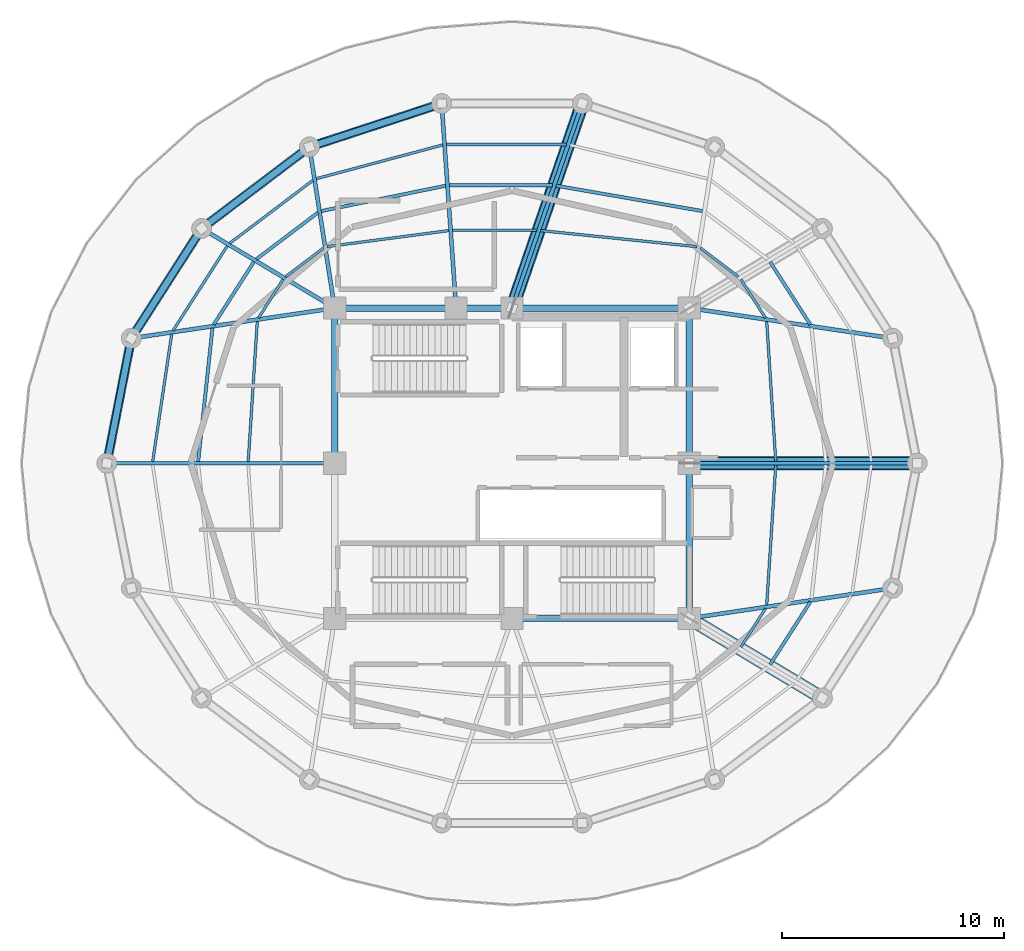
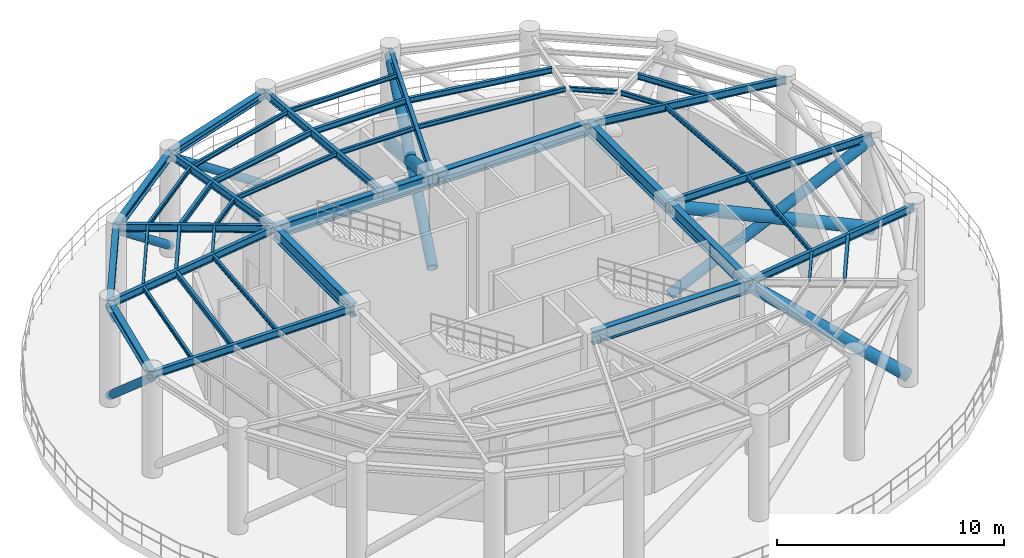
# One storey, part 2 of 8: 44 beams, 9 members.
"""IFC4 building model written with IfcOpenShell, lengths in metres."""

from ifc_helpers import new_model, si_unit, direction, frame, origin, origin_2d, place, context, subcontext, project, spatial, hollow_circle, i_section, extrude, material, material_profile, profile_set, type_object, element, save


model = new_model("IFC4")

# Units and contexts
model_context = context("Model", 3, precision=1e-05, world=origin(), true_north=direction((0.0, 1.0)))
body_context = subcontext(model_context, "Body", "Model", "MODEL_VIEW")
ifc_project = project(units=[si_unit("LENGTHUNIT", "METRE"), si_unit("AREAUNIT", "SQUARE_METRE"), si_unit("VOLUMEUNIT", "CUBIC_METRE"), si_unit("PLANEANGLEUNIT", "RADIAN"), si_unit("MASSUNIT", "GRAM", prefix="KILO")], contexts=[model_context])

# Site, building, storey
site_placement = place(None, origin())
site = spatial("IfcSite", under=ifc_project, at=site_placement, CompositionType="ELEMENT")
building_placement = place(site_placement, origin())
building = spatial("IfcBuilding", under=site, at=building_placement, Name="Kelanora Arch Commons", CompositionType="ELEMENT")
storey_placement = place(building_placement, frame((0.0, 0.0, 242.9599609375)))
storey = spatial("IfcBuildingStorey", under=building, at=storey_placement, Name="L62", CompositionType="ELEMENT", Elevation=242.9599609375)

# Beams
ifc_material = material(Name="Steel S355", Category="steel")
ifc_material_profile_1 = material_profile(ifc_material, i_section(OverallWidth=0.300048828125, OverallDepth=0.699951171875, WebThickness=0.01708984375, FlangeThickness=0.031982421875, FilletRadius=0.027099609375, at=origin_2d()), Name="HEB700")
ifc_profile_set_1 = profile_set([ifc_material_profile_1], Name="Steel S355")
beam_type_1 = type_object("IfcBeamType", Name="BM-CORE-HDR", PredefinedType="BEAM", material=ifc_profile_set_1)
beam_1_placement = place(storey_placement, frame((74.0, 51.0, 5.130126953125), z_axis=(1.0, 0.0, 0.0), x_axis=(0.0, 1.0, 0.0)))
element("IfcBeam", 1, at=beam_1_placement, inside=storey, type_object=beam_type_1, Name="Core Header Beam 02 L62", PredefinedType="BEAM", context=body_context, shape_type="SweptSolid", body=[
    extrude(i_section(OverallWidth=0.300048828125, OverallDepth=0.699951171875, WebThickness=0.01708984375, FlangeThickness=0.031982421875, FilletRadius=0.027099609375, at=origin_2d()), origin(), (0.0, 0.0, 1.0), 8.0),
])
for number, where, z_axis, x_axis, name in (
    (2, (82.0, 51.0, 5.130126953125), (0.0, 1.0, 0.0), (-1.0, 0.0, 0.0), "Core Header Beam 03 L62"),
    (3, (82.0, 58.0, 5.130126953125), (0.0, 1.0, 0.0), (-1.0, 0.0, 0.0), "Core Header Beam 04 L62"),
):
    element("IfcBeam", number, at=place(storey_placement, frame(where, z_axis=z_axis, x_axis=x_axis)), inside=storey, type_object=beam_type_1, Name=name, PredefinedType="BEAM", context=body_context, shape_type="SweptSolid", body=[
        extrude(i_section(OverallWidth=0.300048828125, OverallDepth=0.699951171875, WebThickness=0.01708984375, FlangeThickness=0.031982421875, FilletRadius=0.027099609375, at=origin_2d()), origin(), (0.0, 0.0, 1.0), 7.0),
    ])
beam_2_placement = place(storey_placement, frame((82.0, 65.0, 5.130126953125), z_axis=(-1.0, 0.0, 0.0), x_axis=(0.0, -1.0, 0.0)))
element("IfcBeam", 4, at=beam_2_placement, inside=storey, type_object=beam_type_1, Name="Core Header Beam 05 L62", PredefinedType="BEAM", context=body_context, shape_type="SweptSolid", body=[
    extrude(i_section(OverallWidth=0.300048828125, OverallDepth=0.699951171875, WebThickness=0.01708984375, FlangeThickness=0.031982421875, FilletRadius=0.027099609375, at=origin_2d()), origin(), (0.0, 0.0, 1.0), 8.0),
])
beam_3_placement = place(storey_placement, frame((74.0, 65.0, 5.130126953125), z_axis=(-1.0, 0.0, 0.0), x_axis=(0.0, -1.0, 0.0)))
element("IfcBeam", 5, at=beam_3_placement, inside=storey, type_object=beam_type_1, Name="Core Header Beam 06 L62", PredefinedType="BEAM", context=body_context, shape_type="SweptSolid", body=[
    extrude(i_section(OverallWidth=0.300048828125, OverallDepth=0.699951171875, WebThickness=0.01708984375, FlangeThickness=0.031982421875, FilletRadius=0.027099609375, at=origin_2d()), origin(), (0.0, 0.0, 1.0), 2.52001953125),
])
beam_4_placement = place(storey_placement, frame((71.47998046875, 65.0, 5.130126953125), z_axis=(-1.0, 0.0, 0.0), x_axis=(0.0, -1.0, 0.0)))
element("IfcBeam", 6, at=beam_4_placement, inside=storey, type_object=beam_type_1, Name="Core Header Beam 07 L62", PredefinedType="BEAM", context=body_context, shape_type="SweptSolid", body=[
    extrude(i_section(OverallWidth=0.300048828125, OverallDepth=0.699951171875, WebThickness=0.01708984375, FlangeThickness=0.031982421875, FilletRadius=0.027099609375, at=origin_2d()), origin(), (0.0, 0.0, 1.0), 5.47998046875),
])
beam_5_placement = place(storey_placement, frame((66.0, 65.0, 5.130126953125), z_axis=(0.0, -1.0, 0.0), x_axis=(1.0, 0.0, 0.0)))
element("IfcBeam", 7, at=beam_5_placement, inside=storey, type_object=beam_type_1, Name="Core Header Beam 08 L62", PredefinedType="BEAM", context=body_context, shape_type="SweptSolid", body=[
    extrude(i_section(OverallWidth=0.300048828125, OverallDepth=0.699951171875, WebThickness=0.01708984375, FlangeThickness=0.031982421875, FilletRadius=0.027099609375, at=origin_2d()), origin(), (0.0, 0.0, 1.0), 7.0),
])
ifc_material_profile_2 = material_profile(ifc_material, i_section(OverallWidth=0.14990234375, OverallDepth=0.300048828125, WebThickness=0.007080078125, FlangeThickness=0.0107421875, FilletRadius=0.014892578125, at=origin_2d()), Name="IPE300")
ifc_profile_set_2 = profile_set([ifc_material_profile_2], Name="Steel S355")
beam_type_2 = type_object("IfcBeamType", Name="BM-JST-01", PredefinedType="JOIST", material=ifc_profile_set_2)
beam_6_placement = place(storey_placement, frame((87.460693359375, 64.25341796875, 5.330078125), z_axis=(-0.539321586177, 0.842099891155, 0.0), x_axis=(-0.842099891155, -0.539321586177, 0.0)))
element("IfcBeam", 8, at=beam_6_placement, inside=storey, type_object=beam_type_2, Name="Secondary Chord Joist BJB-02 L62", PredefinedType="JOIST", context=body_context, shape_type="SweptSolid", body=[
    extrude(i_section(OverallWidth=0.14990234375, OverallDepth=0.300048828125, WebThickness=0.007080078125, FlangeThickness=0.0107421875, FilletRadius=0.014892578125, at=origin_2d()), origin(), (0.0, 0.0, 1.0), 3.361572265625),
])
beam_7_placement = place(storey_placement, frame((82.60009765625, 69.377685546875, 5.330078125), z_axis=(-0.985321568263, 0.170708544357, 0.0), x_axis=(-0.170708544357, -0.985321568263, 0.0)))
element("IfcBeam", 9, at=beam_7_placement, inside=storey, type_object=beam_type_2, Name="Secondary Chord Joist BJB-06 L62", PredefinedType="JOIST", context=body_context, shape_type="SweptSolid", body=[
    extrude(i_section(OverallWidth=0.14990234375, OverallDepth=0.300048828125, WebThickness=0.007080078125, FlangeThickness=0.0107421875, FilletRadius=0.014892578125, at=origin_2d()), origin(), (0.0, 0.0, 1.0), 6.710205078125),
])
beam_8_placement = place(storey_placement, frame((75.819580078125, 70.537841796875, 5.330078125), z_axis=(-1.0, 0.0, 0.0), x_axis=(0.0, -1.0, 0.0)))
element("IfcBeam", 10, at=beam_8_placement, inside=storey, type_object=beam_type_2, Name="Secondary Chord Joist BJB-08 L62", PredefinedType="JOIST", context=body_context, shape_type="SweptSolid", body=[
    extrude(i_section(OverallWidth=0.14990234375, OverallDepth=0.300048828125, WebThickness=0.007080078125, FlangeThickness=0.0107421875, FilletRadius=0.014892578125, at=origin_2d()), origin(), (0.0, 0.0, 1.0), 4.647216796875),
])
beam_9_placement = place(storey_placement, frame((71.004150390625, 70.520751953125, 5.330078125), z_axis=(-0.979913482255, -0.199423086165, 0.0), x_axis=(0.199423086165, -0.979913482255, 0.0)))
element("IfcBeam", 11, at=beam_9_placement, inside=storey, type_object=beam_type_2, Name="Secondary Chord Joist BJB-10 L62", PredefinedType="JOIST", context=body_context, shape_type="SweptSolid", body=[
    extrude(i_section(OverallWidth=0.14990234375, OverallDepth=0.300048828125, WebThickness=0.007080078125, FlangeThickness=0.0107421875, FilletRadius=0.014892578125, at=origin_2d()), origin(), (0.0, 0.0, 1.0), 5.7197265625),
])
beam_10_placement = place(storey_placement, frame((65.248291015625, 69.31201171875, 5.330078125), z_axis=(-0.797499198801, -0.603320004568, 0.0), x_axis=(0.603320004568, -0.797499198801, 0.0)))
element("IfcBeam", 12, at=beam_10_placement, inside=storey, type_object=beam_type_2, Name="Secondary Chord Joist BJB-12 L62", PredefinedType="JOIST", context=body_context, shape_type="SweptSolid", body=[
    extrude(i_section(OverallWidth=0.14990234375, OverallDepth=0.300048828125, WebThickness=0.007080078125, FlangeThickness=0.0107421875, FilletRadius=0.014892578125, at=origin_2d()), origin(), (0.0, 0.0, 1.0), 3.489013671875),
])
beam_11_placement = place(storey_placement, frame((62.352294921875, 67.084228515625, 5.330078125), z_axis=(-0.539321586177, -0.842099891155, 0.0), x_axis=(0.842099891155, -0.539321586177, 0.0)))
element("IfcBeam", 13, at=beam_11_placement, inside=storey, type_object=beam_type_2, Name="Secondary Chord Joist BJB-14 L62", PredefinedType="JOIST", context=body_context, shape_type="SweptSolid", body=[
    extrude(i_section(OverallWidth=0.14990234375, OverallDepth=0.300048828125, WebThickness=0.007080078125, FlangeThickness=0.0107421875, FilletRadius=0.014892578125, at=origin_2d()), origin(), (0.0, 0.0, 1.0), 3.361572265625),
])
beam_12_placement = place(storey_placement, frame((60.484375, 64.097412109375, 5.330078125), z_axis=(-0.106380594087, -0.994325484538, 0.0), x_axis=(0.994325484538, -0.106380594087, 0.0)))
element("IfcBeam", 14, at=beam_12_placement, inside=storey, type_object=beam_type_2, Name="Secondary Chord Joist BJB-16 L62", PredefinedType="JOIST", context=body_context, shape_type="SweptSolid", body=[
    extrude(i_section(OverallWidth=0.14990234375, OverallDepth=0.300048828125, WebThickness=0.007080078125, FlangeThickness=0.0107421875, FilletRadius=0.014892578125, at=origin_2d()), origin(), (0.0, 0.0, 1.0), 6.04736328125),
])
beam_13_placement = place(storey_placement, frame((85.647705078125, 48.915771484375, 5.330078125), z_axis=(0.539321586177, 0.842099891155, 0.0), x_axis=(-0.842099891155, 0.539321586177, 0.0)))
element("IfcBeam", 15, at=beam_13_placement, inside=storey, type_object=beam_type_2, Name="Secondary Chord Joist BJB-32 L62", PredefinedType="JOIST", context=body_context, shape_type="SweptSolid", body=[
    extrude(i_section(OverallWidth=0.14990234375, OverallDepth=0.300048828125, WebThickness=0.007080078125, FlangeThickness=0.0107421875, FilletRadius=0.014892578125, at=origin_2d()), origin(), (0.0, 0.0, 1.0), 3.361572265625),
])
ifc_material_profile_3 = material_profile(ifc_material, i_section(OverallWidth=0.1201171875, OverallDepth=0.239990234375, WebThickness=0.006103515625, FlangeThickness=0.009765625, FilletRadius=0.014892578125, at=origin_2d()), Name="IPE240")
ifc_profile_set_3 = profile_set([ifc_material_profile_3], Name="Steel S355")
beam_type_3 = type_object("IfcBeamType", Name="BM-JST-02", PredefinedType="JOIST", material=ifc_profile_set_3)
beam_14_placement = place(storey_placement, frame((85.90087890625, 58.084716796875, 5.360107421875), z_axis=(-0.064495107978, 0.99791802321, 0.0), x_axis=(-0.99791802321, -0.064495107978, 0.0)))
element("IfcBeam", 16, at=beam_14_placement, inside=storey, type_object=beam_type_3, Name="Secondary Chord Joist BJA-00 L62", PredefinedType="JOIST", context=body_context, shape_type="SweptSolid", body=[
    extrude(i_section(OverallWidth=0.1201171875, OverallDepth=0.239990234375, WebThickness=0.006103515625, FlangeThickness=0.009765625, FilletRadius=0.014892578125, at=origin_2d()), origin(), (0.0, 0.0, 1.0), 6.325439453125),
])
beam_15_placement = place(storey_placement, frame((85.441650390625, 64.553466796875, 5.360107421875), z_axis=(-0.539311810315, 0.842106152011, 0.0), x_axis=(-0.842106152011, -0.539311810315, 0.0)))
element("IfcBeam", 17, at=beam_15_placement, inside=storey, type_object=beam_type_3, Name="Secondary Chord Joist BJA-02 L62", PredefinedType="JOIST", context=body_context, shape_type="SweptSolid", body=[
    extrude(i_section(OverallWidth=0.1201171875, OverallDepth=0.239990234375, WebThickness=0.006103515625, FlangeThickness=0.009765625, FilletRadius=0.014892578125, at=origin_2d()), origin(), (0.0, 0.0, 1.0), 2.06640625),
])
beam_16_placement = place(storey_placement, frame((84.21337890625, 66.416748046875, 5.360107421875), z_axis=(-0.797509883882, 0.603305880222, 0.0), x_axis=(-0.603305880222, -0.797509883882, 0.0)))
element("IfcBeam", 18, at=beam_16_placement, inside=storey, type_object=beam_type_3, Name="Secondary Chord Joist BJA-04 L62", PredefinedType="JOIST", context=body_context, shape_type="SweptSolid", body=[
    extrude(i_section(OverallWidth=0.1201171875, OverallDepth=0.239990234375, WebThickness=0.006103515625, FlangeThickness=0.009765625, FilletRadius=0.014892578125, at=origin_2d()), origin(), (0.0, 0.0, 1.0), 2.147216796875),
])
beam_17_placement = place(storey_placement, frame((82.3486328125, 67.772216796875, 5.360107421875), z_axis=(-0.994746545688, 0.102368500239, 0.0), x_axis=(-0.102368500239, -0.994746545688, 0.0)))
element("IfcBeam", 19, at=beam_17_placement, inside=storey, type_object=beam_type_3, Name="Secondary Chord Joist BJA-06 L62", PredefinedType="JOIST", context=body_context, shape_type="SweptSolid", body=[
    extrude(i_section(OverallWidth=0.1201171875, OverallDepth=0.239990234375, WebThickness=0.006103515625, FlangeThickness=0.009765625, FilletRadius=0.014892578125, at=origin_2d()), origin(), (0.0, 0.0, 1.0), 7.09521484375),
])
beam_18_placement = place(storey_placement, frame((75.12109375, 68.507080078125, 5.360107421875), z_axis=(-1.0, 0.0, 0.0), x_axis=(0.0, -1.0, 0.0)))
element("IfcBeam", 20, at=beam_18_placement, inside=storey, type_object=beam_type_3, Name="Secondary Chord Joist BJA-08 L62", PredefinedType="JOIST", context=body_context, shape_type="SweptSolid", body=[
    extrude(i_section(OverallWidth=0.1201171875, OverallDepth=0.239990234375, WebThickness=0.006103515625, FlangeThickness=0.009765625, FilletRadius=0.014892578125, at=origin_2d()), origin(), (0.0, 0.0, 1.0), 3.8046875),
])
beam_19_placement = place(storey_placement, frame((76.454345703125, 72.3837890625, 5.360107421875), z_axis=(-1.0, 0.0, 0.0), x_axis=(0.0, -1.0, 0.0)))
element("IfcBeam", 21, at=beam_19_placement, inside=storey, type_object=beam_type_3, Name="Secondary Chord Joist BJC-08 L62", PredefinedType="JOIST", context=body_context, shape_type="SweptSolid", body=[
    extrude(i_section(OverallWidth=0.1201171875, OverallDepth=0.239990234375, WebThickness=0.006103515625, FlangeThickness=0.009765625, FilletRadius=0.014892578125, at=origin_2d()), origin(), (0.0, 0.0, 1.0), 5.412841796875),
])
beam_20_placement = place(storey_placement, frame((71.147216796875, 68.49609375, 5.360107421875), z_axis=(-0.991489038745, -0.130190191832, 0.0), x_axis=(0.130190191832, -0.991489038745, 0.0)))
element("IfcBeam", 22, at=beam_20_placement, inside=storey, type_object=beam_type_3, Name="Secondary Chord Joist BJA-10 L62", PredefinedType="JOIST", context=body_context, shape_type="SweptSolid", body=[
    extrude(i_section(OverallWidth=0.1201171875, OverallDepth=0.239990234375, WebThickness=0.006103515625, FlangeThickness=0.009765625, FilletRadius=0.014892578125, at=origin_2d()), origin(), (0.0, 0.0, 1.0), 5.543212890625),
])
beam_21_placement = place(storey_placement, frame((70.87451171875, 72.36181640625, 5.360107421875), z_axis=(-0.966190312964, -0.257829942278, 0.0), x_axis=(0.257829942278, -0.966190312964, 0.0)))
element("IfcBeam", 23, at=beam_21_placement, inside=storey, type_object=beam_type_3, Name="Secondary Chord Joist BJC-10 L62", PredefinedType="JOIST", context=body_context, shape_type="SweptSolid", body=[
    extrude(i_section(OverallWidth=0.1201171875, OverallDepth=0.239990234375, WebThickness=0.006103515625, FlangeThickness=0.009765625, FilletRadius=0.014892578125, at=origin_2d()), origin(), (0.0, 0.0, 1.0), 5.904052734375),
])
beam_22_placement = place(storey_placement, frame((65.4990234375, 67.712158203125, 5.360107421875), z_axis=(-0.797509883882, -0.603305880222, 0.0), x_axis=(0.603305880222, -0.797509883882, 0.0)))
element("IfcBeam", 24, at=beam_22_placement, inside=storey, type_object=beam_type_3, Name="Secondary Chord Joist BJA-12 L62", PredefinedType="JOIST", context=body_context, shape_type="SweptSolid", body=[
    extrude(i_section(OverallWidth=0.1201171875, OverallDepth=0.239990234375, WebThickness=0.006103515625, FlangeThickness=0.009765625, FilletRadius=0.014892578125, at=origin_2d()), origin(), (0.0, 0.0, 1.0), 2.147216796875),
])
beam_23_placement = place(storey_placement, frame((65.020263671875, 70.766357421875, 5.360107421875), z_axis=(-0.79752302984, -0.60328850219, 0.0), x_axis=(0.60328850219, -0.79752302984, 0.0)))
element("IfcBeam", 25, at=beam_23_placement, inside=storey, type_object=beam_type_3, Name="Secondary Chord Joist BJC-12 L62", PredefinedType="JOIST", context=body_context, shape_type="SweptSolid", body=[
    extrude(i_section(OverallWidth=0.1201171875, OverallDepth=0.239990234375, WebThickness=0.006103515625, FlangeThickness=0.009765625, FilletRadius=0.014892578125, at=origin_2d()), origin(), (0.0, 0.0, 1.0), 4.70849609375),
])
beam_24_placement = place(storey_placement, frame((63.6728515625, 66.293701171875, 5.360107421875), z_axis=(-0.539311810315, -0.842106152011, 0.0), x_axis=(0.842106152011, -0.539311810315, 0.0)))
element("IfcBeam", 26, at=beam_24_placement, inside=storey, type_object=beam_type_3, Name="Secondary Chord Joist BJA-14 L62", PredefinedType="JOIST", context=body_context, shape_type="SweptSolid", body=[
    extrude(i_section(OverallWidth=0.1201171875, OverallDepth=0.239990234375, WebThickness=0.006103515625, FlangeThickness=0.009765625, FilletRadius=0.014892578125, at=origin_2d()), origin(), (0.0, 0.0, 1.0), 2.06640625),
])
beam_25_placement = place(storey_placement, frame((61.151611328125, 67.802978515625, 5.360107421875), z_axis=(-0.539288735289, -0.842120929552, 0.0), x_axis=(0.842120929552, -0.539288735289, 0.0)))
element("IfcBeam", 27, at=beam_25_placement, inside=storey, type_object=beam_type_3, Name="Secondary Chord Joist BJC-14 L62", PredefinedType="JOIST", context=body_context, shape_type="SweptSolid", body=[
    extrude(i_section(OverallWidth=0.1201171875, OverallDepth=0.239990234375, WebThickness=0.006103515625, FlangeThickness=0.009765625, FilletRadius=0.014892578125, at=origin_2d()), origin(), (0.0, 0.0, 1.0), 4.538818359375),
])
beam_26_placement = place(storey_placement, frame((62.507080078125, 64.39697265625, 5.360107421875), z_axis=(-0.064495107978, -0.99791802321, 0.0), x_axis=(0.99791802321, -0.064495107978, 0.0)))
element("IfcBeam", 28, at=beam_26_placement, inside=storey, type_object=beam_type_3, Name="Secondary Chord Joist BJA-16 L62", PredefinedType="JOIST", context=body_context, shape_type="SweptSolid", body=[
    extrude(i_section(OverallWidth=0.1201171875, OverallDepth=0.239990234375, WebThickness=0.006103515625, FlangeThickness=0.009765625, FilletRadius=0.014892578125, at=origin_2d()), origin(), (0.0, 0.0, 1.0), 6.325439453125),
])
beam_27_placement = place(storey_placement, frame((58.6455078125, 63.8251953125, 5.360107421875), z_axis=(-0.14762470282, -0.989043450571, 0.0), x_axis=(0.989043450571, -0.14762470282, 0.0)))
element("IfcBeam", 29, at=beam_27_placement, inside=storey, type_object=beam_type_3, Name="Secondary Chord Joist BJC-16 L62", PredefinedType="JOIST", context=body_context, shape_type="SweptSolid", body=[
    extrude(i_section(OverallWidth=0.1201171875, OverallDepth=0.239990234375, WebThickness=0.006103515625, FlangeThickness=0.009765625, FilletRadius=0.014892578125, at=origin_2d()), origin(), (0.0, 0.0, 1.0), 5.804931640625),
])
beam_28_placement = place(storey_placement, frame((84.3271484375, 49.706298828125, 5.360107421875), z_axis=(0.539311810315, 0.842106152011, 0.0), x_axis=(-0.842106152011, 0.539311810315, 0.0)))
element("IfcBeam", 30, at=beam_28_placement, inside=storey, type_object=beam_type_3, Name="Secondary Chord Joist BJA-32 L62", PredefinedType="JOIST", context=body_context, shape_type="SweptSolid", body=[
    extrude(i_section(OverallWidth=0.1201171875, OverallDepth=0.239990234375, WebThickness=0.006103515625, FlangeThickness=0.009765625, FilletRadius=0.014892578125, at=origin_2d()), origin(), (0.0, 0.0, 1.0), 2.06640625),
])
beam_29_placement = place(storey_placement, frame((85.492919921875, 51.60302734375, 5.360107421875), z_axis=(0.064495107978, 0.99791802321, 0.0), x_axis=(-0.99791802321, 0.064495107978, 0.0)))
element("IfcBeam", 31, at=beam_29_placement, inside=storey, type_object=beam_type_3, Name="Secondary Chord Joist BJA-34 L62", PredefinedType="JOIST", context=body_context, shape_type="SweptSolid", body=[
    extrude(i_section(OverallWidth=0.1201171875, OverallDepth=0.239990234375, WebThickness=0.006103515625, FlangeThickness=0.009765625, FilletRadius=0.014892578125, at=origin_2d()), origin(), (0.0, 0.0, 1.0), 6.325439453125),
])
ifc_material_profile_4 = material_profile(ifc_material, i_section(OverallWidth=0.179931640625, OverallDepth=0.39990234375, WebThickness=0.008544921875, FlangeThickness=0.013427734375, FilletRadius=0.02099609375, at=origin_2d()), Name="IPE400")
ifc_profile_set_4 = profile_set([ifc_material_profile_4], Name="Steel S355")
beam_type_4 = type_object("IfcBeamType", Name="BM-RAD-Z5", PredefinedType="BEAM", material=ifc_profile_set_4)
beam_30_placement = place(storey_placement, frame((82.0, 58.0, 5.280029296875), z_axis=(1.0, 0.0, 0.0), x_axis=(0.0, 1.0, 0.0)))
element("IfcBeam", 32, at=beam_30_placement, inside=storey, type_object=beam_type_4, Name="Radial Floor Girder BR-00 L62", PredefinedType="BEAM", context=body_context, shape_type="SweptSolid", body=[
    extrude(i_section(OverallWidth=0.179931640625, OverallDepth=0.39990234375, WebThickness=0.008544921875, FlangeThickness=0.013427734375, FilletRadius=0.02099609375, at=origin_2d()), origin(), (0.0, 0.0, 1.0), 10.280029296875),
])
beam_31_placement = place(storey_placement, frame((82.0, 65.0, 5.280029296875), z_axis=(0.989142485564, -0.146959665395, 0.0), x_axis=(0.146959665395, 0.989142485564, 0.0)))
element("IfcBeam", 33, at=beam_31_placement, inside=storey, type_object=beam_type_4, Name="Radial Floor Girder BR-02 L62", PredefinedType="BEAM", context=body_context, shape_type="SweptSolid", body=[
    extrude(i_section(OverallWidth=0.179931640625, OverallDepth=0.39990234375, WebThickness=0.008544921875, FlangeThickness=0.013427734375, FilletRadius=0.02099609375, at=origin_2d()), origin(), (0.0, 0.0, 1.0), 9.2783203125),
])
beam_32_placement = place(storey_placement, frame((74.0, 65.0, 5.280029296875), z_axis=(0.325233562807, 0.945633718532, 0.0), x_axis=(-0.945633718532, 0.325233562807, 0.0)))
element("IfcBeam", 34, at=beam_32_placement, inside=storey, type_object=beam_type_4, Name="Radial Floor Girder BR-08 L62", PredefinedType="BEAM", context=body_context, shape_type="SweptSolid", body=[
    extrude(i_section(OverallWidth=0.179931640625, OverallDepth=0.39990234375, WebThickness=0.008544921875, FlangeThickness=0.013427734375, FilletRadius=0.02099609375, at=origin_2d()), origin(), (0.0, 0.0, 1.0), 9.760009765625),
])
beam_33_placement = place(storey_placement, frame((71.47998046875, 65.0, 5.280029296875), z_axis=(-0.070714497892, 0.997496596379, 0.0), x_axis=(-0.997496596379, -0.070714497892, 0.0)))
element("IfcBeam", 35, at=beam_33_placement, inside=storey, type_object=beam_type_4, Name="Radial Floor Girder BR-10 L62", PredefinedType="BEAM", context=body_context, shape_type="SweptSolid", body=[
    extrude(i_section(OverallWidth=0.179931640625, OverallDepth=0.39990234375, WebThickness=0.008544921875, FlangeThickness=0.013427734375, FilletRadius=0.02099609375, at=origin_2d()), origin(), (0.0, 0.0, 1.0), 9.252685546875),
])
beam_34_placement = place(storey_placement, frame((66.0, 65.0, 5.280029296875), z_axis=(-0.154855424129, 0.987937142544, 0.0), x_axis=(-0.987937142544, -0.154855424129, 0.0)))
element("IfcBeam", 36, at=beam_34_placement, inside=storey, type_object=beam_type_4, Name="Radial Floor Girder BR-12 L62", PredefinedType="BEAM", context=body_context, shape_type="SweptSolid", body=[
    extrude(i_section(OverallWidth=0.179931640625, OverallDepth=0.39990234375, WebThickness=0.008544921875, FlangeThickness=0.013427734375, FilletRadius=0.02099609375, at=origin_2d()), origin(), (0.0, 0.0, 1.0), 7.361083984375),
])
beam_35_placement = place(storey_placement, frame((66.0, 65.0, 5.280029296875), z_axis=(-0.858062005744, 0.513546097541, 0.0), x_axis=(-0.513546097541, -0.858062005744, 0.0)))
element("IfcBeam", 37, at=beam_35_placement, inside=storey, type_object=beam_type_4, Name="Radial Floor Girder BR-14 L62", PredefinedType="BEAM", context=body_context, shape_type="SweptSolid", body=[
    extrude(i_section(OverallWidth=0.179931640625, OverallDepth=0.39990234375, WebThickness=0.008544921875, FlangeThickness=0.013427734375, FilletRadius=0.02099609375, at=origin_2d()), origin(), (0.0, 0.0, 1.0), 6.99658203125),
])
beam_36_placement = place(storey_placement, frame((66.0, 65.0, 5.280029296875), z_axis=(-0.989142485564, -0.146959665395, 0.0), x_axis=(0.146959665395, -0.989142485564, 0.0)))
element("IfcBeam", 38, at=beam_36_placement, inside=storey, type_object=beam_type_4, Name="Radial Floor Girder BR-16 L62", PredefinedType="BEAM", context=body_context, shape_type="SweptSolid", body=[
    extrude(i_section(OverallWidth=0.179931640625, OverallDepth=0.39990234375, WebThickness=0.008544921875, FlangeThickness=0.013427734375, FilletRadius=0.02099609375, at=origin_2d()), origin(), (0.0, 0.0, 1.0), 9.2783203125),
])
beam_37_placement = place(storey_placement, frame((66.0, 58.0, 5.280029296875), z_axis=(-1.0, 0.0, 0.0), x_axis=(0.0, -1.0, 0.0)))
element("IfcBeam", 39, at=beam_37_placement, inside=storey, type_object=beam_type_4, Name="Radial Floor Girder BR-18 L62", PredefinedType="BEAM", context=body_context, shape_type="SweptSolid", body=[
    extrude(i_section(OverallWidth=0.179931640625, OverallDepth=0.39990234375, WebThickness=0.008544921875, FlangeThickness=0.013427734375, FilletRadius=0.02099609375, at=origin_2d()), origin(), (0.0, 0.0, 1.0), 10.280029296875),
])
beam_38_placement = place(storey_placement, frame((82.0, 51.0, 5.280029296875), z_axis=(0.989142485564, 0.146959665395, 0.0), x_axis=(-0.146959665395, 0.989142485564, 0.0)))
element("IfcBeam", 40, at=beam_38_placement, inside=storey, type_object=beam_type_4, Name="Radial Floor Girder BR-34 L62", PredefinedType="BEAM", context=body_context, shape_type="SweptSolid", body=[
    extrude(i_section(OverallWidth=0.179931640625, OverallDepth=0.39990234375, WebThickness=0.008544921875, FlangeThickness=0.013427734375, FilletRadius=0.02099609375, at=origin_2d()), origin(), (0.0, 0.0, 1.0), 9.2783203125),
])
ifc_material_profile_5 = material_profile(ifc_material, i_section(OverallWidth=0.300048828125, OverallDepth=0.39990234375, WebThickness=0.013427734375, FlangeThickness=0.02392578125, FilletRadius=0.027099609375, at=origin_2d()), Name="HEB400")
ifc_profile_set_5 = profile_set([ifc_material_profile_5], Name="Steel S355")
beam_type_5 = type_object("IfcBeamType", Name="BM-SPN-Z4", PredefinedType="SPANDREL", material=ifc_profile_set_5)
beam_39_placement = place(storey_placement, frame((70.82568359375, 74.2294921875, 5.280029296875), z_axis=(-0.950165923039, -0.311744636996, 0.0), x_axis=(0.311744636996, -0.950165923039, 0.0)))
element("IfcBeam", 41, at=beam_39_placement, inside=storey, type_object=beam_type_5, Name="Perimeter Spandrel Beam BS-10 L62", PredefinedType="SPANDREL", context=body_context, shape_type="SweptSolid", body=[
    extrude(i_section(OverallWidth=0.300048828125, OverallDepth=0.39990234375, WebThickness=0.013427734375, FlangeThickness=0.02392578125, FilletRadius=0.027099609375, at=origin_2d()), origin(), (0.0, 0.0, 1.0), 6.278564453125),
])
beam_40_placement = place(storey_placement, frame((64.860107421875, 72.272216796875, 5.280029296875), z_axis=(-0.797509460967, -0.603306439273, 0.0), x_axis=(0.603306439273, -0.797509460967, 0.0)))
element("IfcBeam", 42, at=beam_40_placement, inside=storey, type_object=beam_type_5, Name="Perimeter Spandrel Beam BS-12 L62", PredefinedType="SPANDREL", context=body_context, shape_type="SweptSolid", body=[
    extrude(i_section(OverallWidth=0.300048828125, OverallDepth=0.39990234375, WebThickness=0.013427734375, FlangeThickness=0.02392578125, FilletRadius=0.027099609375, at=origin_2d()), origin(), (0.0, 0.0, 1.0), 6.098388671875),
])
beam_41_placement = place(storey_placement, frame((59.99658203125, 68.593017578125, 5.280029296875), z_axis=(-0.539280851353, -0.842125978322, 0.0), x_axis=(0.842125978322, -0.539280851353, 0.0)))
element("IfcBeam", 43, at=beam_41_placement, inside=storey, type_object=beam_type_5, Name="Perimeter Spandrel Beam BS-14 L62", PredefinedType="SPANDREL", context=body_context, shape_type="SweptSolid", body=[
    extrude(i_section(OverallWidth=0.300048828125, OverallDepth=0.39990234375, WebThickness=0.013427734375, FlangeThickness=0.02392578125, FilletRadius=0.027099609375, at=origin_2d()), origin(), (0.0, 0.0, 1.0), 5.8857421875),
])
beam_42_placement = place(storey_placement, frame((56.822509765625, 63.636474609375, 5.280029296875), z_axis=(-0.191969774604, -0.981400838413, 0.0), x_axis=(0.981400838413, -0.191969774604, 0.0)))
element("IfcBeam", 44, at=beam_42_placement, inside=storey, type_object=beam_type_5, Name="Perimeter Spandrel Beam BS-16 L62", PredefinedType="SPANDREL", context=body_context, shape_type="SweptSolid", body=[
    extrude(i_section(OverallWidth=0.300048828125, OverallDepth=0.39990234375, WebThickness=0.013427734375, FlangeThickness=0.02392578125, FilletRadius=0.027099609375, at=origin_2d()), origin(), (0.0, 0.0, 1.0), 5.743408203125),
])

# Members
ifc_material_profile_6 = material_profile(ifc_material, hollow_circle(Radius=0.203125, WallThickness=0.02001953125, at=origin_2d()), Name="CHS406.4x20")
ifc_profile_set_6 = profile_set([ifc_material_profile_6], Name="Steel S355")
member_type_1 = type_object("IfcMemberType", Name="MEM-BELT-DIAG", PredefinedType="BRACE", material=ifc_profile_set_6)
member_1_placement = place(storey_placement, frame((70.82568359375, 74.2294921875, 0.35009765625), z_axis=(-0.755998549008, -0.248039302943, 0.605757953388), x_axis=(0.311744636996, -0.950165923039, 0.0)))
element("IfcMember", 45, at=member_1_placement, inside=storey, type_object=member_type_1, Name="Belt Truss Diagonal MB-10 L62", PredefinedType="BRACE", context=body_context, shape_type="SweptSolid", body=[
    extrude(hollow_circle(Radius=0.203125, WallThickness=0.02001953125, at=origin_2d()), origin(), (0.0, 0.0, 1.0), 7.890869140625),
])
member_2_placement = place(storey_placement, frame((64.860107421875, 72.272216796875, 0.35009765625), z_axis=(-0.627674120976, -0.474828020838, 0.61689832913), x_axis=(0.603306439273, -0.797509460967, 0.0)))
element("IfcMember", 46, at=member_2_placement, inside=storey, type_object=member_type_1, Name="Belt Truss Diagonal MB-12 L62", PredefinedType="BRACE", context=body_context, shape_type="SweptSolid", body=[
    extrude(hollow_circle(Radius=0.203125, WallThickness=0.02001953125, at=origin_2d()), origin(), (0.0, 0.0, 1.0), 7.74853515625),
])
member_3_placement = place(storey_placement, frame((59.99658203125, 68.593017578125, 0.35009765625), z_axis=(-0.418617989209, -0.653702208824, 0.630422399102), x_axis=(0.842125978322, -0.539280851353, 0.0)))
element("IfcMember", 47, at=member_3_placement, inside=storey, type_object=member_type_1, Name="Belt Truss Diagonal MB-14 L62", PredefinedType="BRACE", context=body_context, shape_type="SweptSolid", body=[
    extrude(hollow_circle(Radius=0.203125, WallThickness=0.02001953125, at=origin_2d()), origin(), (0.0, 0.0, 1.0), 7.582275390625),
])
member_4_placement = place(storey_placement, frame((56.822509765625, 63.636474609375, 0.35009765625), z_axis=(-0.147551678196, -0.754323648033, 0.639706445395), x_axis=(0.981400838413, -0.191969774604, 0.0)))
element("IfcMember", 48, at=member_4_placement, inside=storey, type_object=member_type_1, Name="Belt Truss Diagonal MB-16 L62", PredefinedType="BRACE", context=body_context, shape_type="SweptSolid", body=[
    extrude(hollow_circle(Radius=0.203125, WallThickness=0.02001953125, at=origin_2d()), origin(), (0.0, 0.0, 1.0), 7.47216796875),
])
ifc_material_profile_7 = material_profile(ifc_material, hollow_circle(Radius=0.304931640625, WallThickness=0.030029296875, at=origin_2d()), Name="CHS610x30")
ifc_profile_set_7 = profile_set([ifc_material_profile_7], Name="Steel S355")
member_type_2 = type_object("IfcMemberType", Name="MEM-OUT-CHORD", PredefinedType="CHORD", material=ifc_profile_set_7)
member_5_placement = place(storey_placement, frame((82.0, 51.0, 5.130126953125), z_axis=(0.708496849076, -0.424032050746, -0.564117926314), x_axis=(0.513546097541, 0.858062005744, 0.0)))
element("IfcMember", 49, at=member_5_placement, inside=storey, type_object=member_type_2, Name="Outrigger Counter-Brace MO-32B L62", PredefinedType="CHORD", context=body_context, shape_type="SweptSolid", body=[
    extrude(hollow_circle(Radius=0.304931640625, WallThickness=0.030029296875, at=origin_2d()), origin(), (0.0, 0.0, 1.0), 8.473388671875),
])
member_6_placement = place(storey_placement, frame((82.0, 58.0, 5.130126953125), z_axis=(0.906767642312, 0.0, -0.421630694869), x_axis=(0.0, 1.0, 0.0)))
element("IfcMember", 50, at=member_6_placement, inside=storey, type_object=member_type_2, Name="Outrigger Counter-Brace MO-00B L62", PredefinedType="CHORD", context=body_context, shape_type="SweptSolid", body=[
    extrude(hollow_circle(Radius=0.304931640625, WallThickness=0.030029296875, at=origin_2d()), origin(), (0.0, 0.0, 1.0), 11.3369140625),
])
member_7_placement = place(storey_placement, frame((74.0, 65.0, 5.130126953125), z_axis=(0.292085268591, 0.849253306708, -0.43983521564), x_axis=(-0.945633718532, 0.325233562807, 0.0)))
element("IfcMember", 51, at=member_7_placement, inside=storey, type_object=member_type_2, Name="Outrigger Counter-Brace MO-08B L62", PredefinedType="CHORD", context=body_context, shape_type="SweptSolid", body=[
    extrude(hollow_circle(Radius=0.304931640625, WallThickness=0.030029296875, at=origin_2d()), origin(), (0.0, 0.0, 1.0), 10.86767578125),
])
ifc_material_profile_8 = material_profile(ifc_material, hollow_circle(Radius=0.25390625, WallThickness=0.02490234375, at=origin_2d()), Name="CHS508x25")
ifc_profile_set_8 = profile_set([ifc_material_profile_8], Name="Steel S355")
member_type_3 = type_object("IfcMemberType", Name="MEM-OUT-DIAG", PredefinedType="BRACE", material=ifc_profile_set_8)
member_8_placement = place(storey_placement, frame((82.0, 58.0, 0.35009765625), z_axis=(0.906767642312, 0.0, 0.421630694869), x_axis=(0.0, 1.0, 0.0)))
element("IfcMember", 52, at=member_8_placement, inside=storey, type_object=member_type_3, Name="Outrigger Diagonal MO-00A L62", PredefinedType="BRACE", context=body_context, shape_type="SweptSolid", body=[
    extrude(hollow_circle(Radius=0.25390625, WallThickness=0.02490234375, at=origin_2d()), origin(), (0.0, 0.0, 1.0), 11.3369140625),
])
member_9_placement = place(storey_placement, frame((74.0, 65.0, 0.35009765625), z_axis=(0.292085268591, 0.849253306708, 0.43983521564), x_axis=(-0.945633718532, 0.325233562807, 0.0)))
element("IfcMember", 53, at=member_9_placement, inside=storey, type_object=member_type_3, Name="Outrigger Diagonal MO-08A L62", PredefinedType="BRACE", context=body_context, shape_type="SweptSolid", body=[
    extrude(hollow_circle(Radius=0.25390625, WallThickness=0.02490234375, at=origin_2d()), origin(), (0.0, 0.0, 1.0), 10.86767578125),
])

save(model, "model.ifc")
